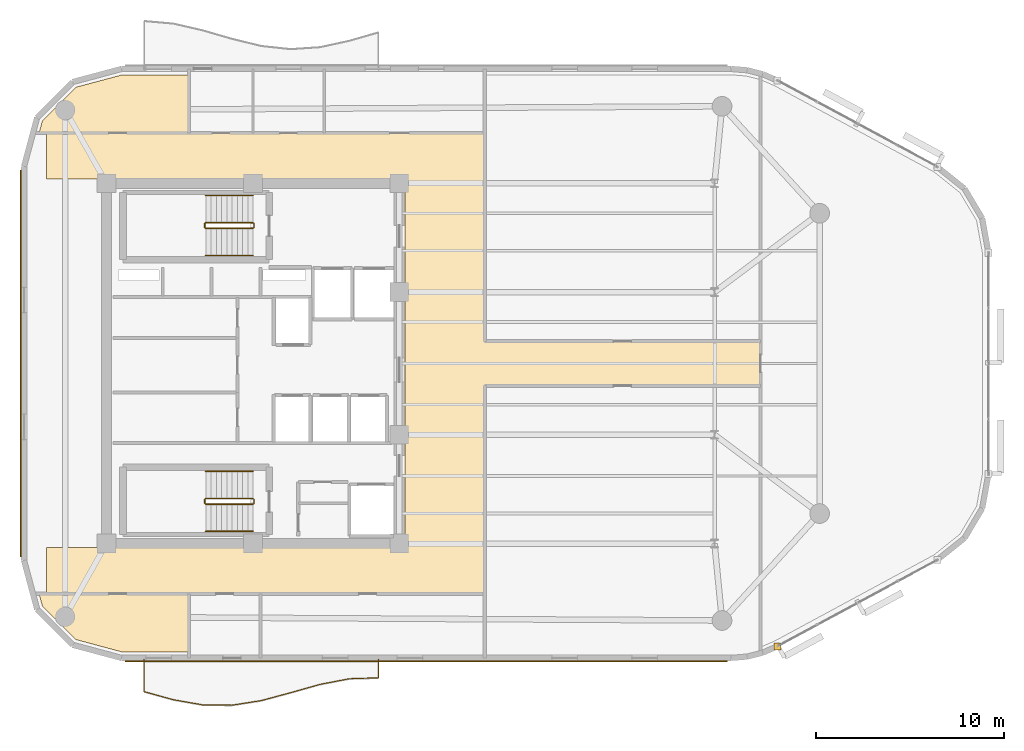
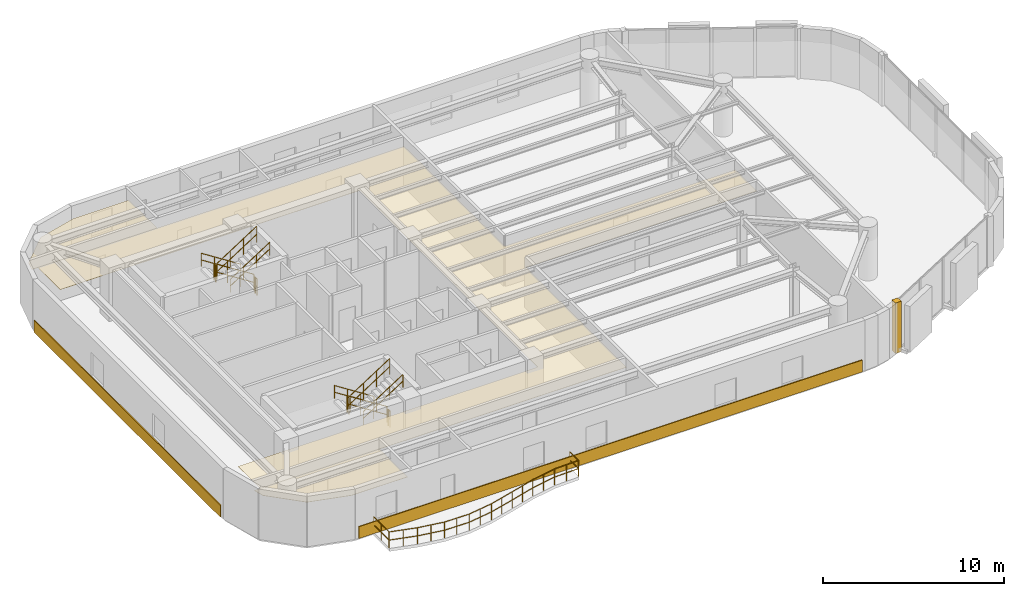
# One storey, part 12 of 13: 13 railings, 6 coverings.
"""IFC4 building model written with IfcOpenShell, lengths in metres."""

from ifc_helpers import new_model, si_unit, direction, frame, origin, origin_2d, place, context, subcontext, project, spatial, polyline, rectangle, circle, outline, extrude, material, layer, layer_set, type_object, element, save


model = new_model("IFC4")

# Units and contexts
model_context = context("Model", 3, precision=1e-05, world=origin(), true_north=direction((0.0, 1.0)))
body_context = subcontext(model_context, "Body", "Model", "MODEL_VIEW")
ifc_project = project(units=[si_unit("LENGTHUNIT", "METRE"), si_unit("AREAUNIT", "SQUARE_METRE"), si_unit("VOLUMEUNIT", "CUBIC_METRE"), si_unit("PLANEANGLEUNIT", "RADIAN"), si_unit("MASSUNIT", "GRAM", prefix="KILO")], contexts=[model_context])

# Site, building, storey
site_placement = place(None, origin())
site = spatial("IfcSite", under=ifc_project, at=site_placement, CompositionType="ELEMENT")
building_placement = place(site_placement, origin())
building = spatial("IfcBuilding", under=site, at=building_placement, Name="An Khanh Terracotta Commons", CompositionType="ELEMENT")
storey_placement = place(building_placement, frame((0.0, 0.0, 237.300048828125)))
storey = spatial("IfcBuildingStorey", under=building, at=storey_placement, Name="L62", CompositionType="ELEMENT", Elevation=237.300048828125)

# Coverings
ifc_material_1 = material(Name="Perforated Mineral-Fibre Acoustic Tile")
ifc_layer_1 = layer(ifc_material_1, 0.02001953125, Name="Perforated Mineral-Fibre Acoustic Tile")
ifc_layer_set_1 = layer_set([ifc_layer_1], Name="Perforated Mineral-Fibre Acoustic Tile")
covering_type_1 = type_object("IfcCoveringType", Name="CEIL-ACOUSTIC-18", PredefinedType="CEILING", material=ifc_layer_set_1)
covering_1_placement = place(storey_placement, frame((0.0, 0.0, 2.64990234375)))
element("IfcCovering", 1, at=covering_1_placement, inside=storey, type_object=covering_type_1, Name="L62 Corridor Ceiling", PredefinedType="CEILING", context=body_context, shape_type="SweptSolid", body=[
    extrude(outline(polyline([(18.39990234375, 11.719970703125), (18.39990234375, 14.179931640625), (37.5, 14.179931640625), (37.5, 33.820068359375), (18.39990234375, 33.820068359375), (18.39990234375, 36.280029296875), (37.5, 36.280029296875), (41.75, 36.280029296875), (41.75, 33.820068359375), (41.75, 25.179931640625), (56.449951171875, 25.179931640625), (56.449951171875, 22.820068359375), (41.75, 22.820068359375), (41.75, 14.179931640625), (41.75, 11.719970703125), (37.5, 11.719970703125), (18.39990234375, 11.719970703125)])), origin(), (0.0, 0.0, 1.0), 0.02001953125),
])
covering_2_placement = place(storey_placement, frame((0.0, 0.0, 2.64990234375)))
element("IfcCovering", 2, at=covering_2_placement, inside=storey, type_object=covering_type_1, Name="L62 Student Reading Library Ceiling", PredefinedType="CEILING", context=body_context, shape_type="SweptSolid", body=[
    extrude(outline(polyline([(22.44189453125, 39.3798828125), (26.0, 39.3798828125), (26.0, 39.35009765625), (26.0, 36.280029296875), (18.39990234375, 36.280029296875), (18.008056640625, 36.280029296875), (18.18408203125, 36.93408203125), (19.966064453125, 38.716064453125), (22.44189453125, 39.3798828125)])), origin(), (0.0, 0.0, 1.0), 0.02001953125),
])
covering_3_placement = place(storey_placement, frame((0.0, 0.0, 2.64990234375)))
element("IfcCovering", 3, at=covering_3_placement, inside=storey, type_object=covering_type_1, Name="L62 Academic Seminar Room Ceiling", PredefinedType="CEILING", context=body_context, shape_type="SweptSolid", body=[
    extrude(outline(polyline([(22.44189453125, 8.6201171875), (19.966064453125, 9.283935546875), (18.18408203125, 11.06591796875), (18.008056640625, 11.719970703125), (18.39990234375, 11.719970703125), (26.0, 11.719970703125), (26.0, 8.64990234375), (26.0, 8.6201171875), (22.44189453125, 8.6201171875)])), origin(), (0.0, 0.0, 1.0), 0.02001953125),
])
ifc_material_2 = material(Name="Fired Terracotta Rainscreen Cladding", Category="masonry")
ifc_layer_2 = layer(ifc_material_2, 0.080078125, Name="Fired Terracotta Rainscreen Cladding")
ifc_layer_set_2 = layer_set([ifc_layer_2], Name="Fired Terracotta Rainscreen Cladding")
covering_type_2 = type_object("IfcCoveringType", Name="COV-JAMB-TERRA", PredefinedType="CLADDING", material=ifc_layer_set_2)
covering_4_placement = place(storey_placement, frame((57.35693359375, 8.925048828125, 0.0), z_axis=(0.0, 0.0, 1.0), x_axis=(1.0, 0.0, 0.0)))
element("IfcCovering", 4, at=covering_4_placement, inside=storey, type_object=covering_type_2, Name="L62 CW-03 Curtain-Wall Jamb Closure JA", PredefinedType="CLADDING", context=body_context, shape_type="SweptSolid", body=[
    extrude(rectangle(XDim=0.3798828125, YDim=0.3798828125, at=origin_2d()), origin(), (0.0, 0.0, 1.0), 3.39990234375),
])
ifc_layer_3 = layer(ifc_material_2, 0.06005859375, Name="Fired Terracotta Rainscreen Cladding")
ifc_layer_set_3 = layer_set([ifc_layer_3], Name="Fired Terracotta Rainscreen Cladding")
covering_type_3 = type_object("IfcCoveringType", Name="COV-SPANDREL-TERRA", PredefinedType="CLADDING", material=ifc_layer_set_3)
covering_5_placement = place(storey_placement, frame((38.64208984375, 8.1201171875, 0.02001953125), z_axis=(0.0, 0.0, 1.0), x_axis=(1.0, 0.0, 0.0)))
element("IfcCovering", 5, at=covering_5_placement, inside=storey, type_object=covering_type_3, Name="L62 Terracotta Spandrel Cladding 4", PredefinedType="CLADDING", context=body_context, shape_type="SweptSolid", body=[
    extrude(rectangle(XDim=32.0849609375, YDim=0.06005859375, at=origin_2d()), origin(), (0.0, 0.0, 1.0), 0.800048828125),
])
covering_6_placement = place(storey_placement, frame((17.02001953125, 24.0, 0.02001953125), z_axis=(0.0, 0.0, 1.0), x_axis=(0.0, -1.0, 0.0)))
element("IfcCovering", 6, at=covering_6_placement, inside=storey, type_object=covering_type_3, Name="L62 Terracotta Spandrel Cladding 24", PredefinedType="CLADDING", context=body_context, shape_type="SweptSolid", body=[
    extrude(rectangle(XDim=20.60009765625, YDim=0.06005859375, at=origin_2d()), origin(), (0.0, 0.0, 1.0), 0.800048828125),
])

# Railings
ifc_material_3 = material(Name="Brushed Stainless Steel 316", Category="steel")
railing_type_1 = type_object("IfcRailingType", Name="RAIL-BALUSTRADE-1100", PredefinedType="BALUSTRADE", material=ifc_material_3)
railing_1_placement = place(storey_placement, frame((23.60009765625, 8.239990234375, 0.0)))
element("IfcRailing", 7, at=railing_1_placement, inside=storey, type_object=railing_type_1, Name="L62 S Wave Balcony Guard Balustrade", PredefinedType="BALUSTRADE", context=body_context, shape_type="SweptSolid", body=[
    extrude(circle(Radius=0.02392578125, at=origin_2d()), frame((0.0, 0.0, 1.076171875), z_axis=(0.0, -1.0, 0.0), x_axis=(1.0, 0.0, 0.0)), (0.0, 0.0, 1.0), 1.72998046875),
    extrude(circle(Radius=0.02392578125, at=origin_2d()), frame((0.0, 0.0, 0.52587890625), z_axis=(0.0, -1.0, 0.0), x_axis=(1.0, 0.0, 0.0)), (0.0, 0.0, 1.0), 1.72998046875),
    extrude(circle(Radius=0.02392578125, at=origin_2d()), frame((0.0, -1.72998046875, 1.076171875), z_axis=(0.963840743753, -0.266478931028, 0.0), x_axis=(0.266478931028, 0.963840743753, 0.0)), (0.0, 0.0, 1.0), 1.62158203125),
    extrude(circle(Radius=0.02392578125, at=origin_2d()), frame((0.0, -1.72998046875, 0.52587890625), z_axis=(0.963840743753, -0.266478931028, 0.0), x_axis=(0.266478931028, 0.963840743753, 0.0)), (0.0, 0.0, 1.0), 1.62158203125),
    extrude(circle(Radius=0.02392578125, at=origin_2d()), frame((1.56298828125, -2.162109375, 1.076171875), z_axis=(0.984968974178, -0.172731351833, 0.0), x_axis=(0.172731351833, 0.984968974178, 0.0)), (0.0, 0.0, 1.0), 1.5859375),
    extrude(circle(Radius=0.02392578125, at=origin_2d()), frame((1.56298828125, -2.162109375, 0.52587890625), z_axis=(0.984968974178, -0.172731351833, 0.0), x_axis=(0.172731351833, 0.984968974178, 0.0)), (0.0, 0.0, 1.0), 1.5859375),
    extrude(circle(Radius=0.02392578125, at=origin_2d()), frame((3.125, -2.43603515625, 1.076171875), z_axis=(0.99994192369, -0.010777255972, 0.0), x_axis=(0.010777255972, 0.99994192369, 0.0)), (0.0, 0.0, 1.0), 1.56298828125),
    extrude(circle(Radius=0.02392578125, at=origin_2d()), frame((3.125, -2.43603515625, 0.52587890625), z_axis=(0.99994192369, -0.010777255972, 0.0), x_axis=(0.010777255972, 0.99994192369, 0.0)), (0.0, 0.0, 1.0), 1.56298828125),
    extrude(circle(Radius=0.02392578125, at=origin_2d()), frame((4.68798828125, -2.452880859375, 1.076171875), z_axis=(0.987744181827, 0.156081489188, 0.0), x_axis=(-0.156081489188, 0.987744181827, 0.0)), (0.0, 0.0, 1.0), 1.581298828125),
    extrude(circle(Radius=0.02392578125, at=origin_2d()), frame((4.68798828125, -2.452880859375, 0.52587890625), z_axis=(0.987744181827, 0.156081489188, 0.0), x_axis=(-0.156081489188, 0.987744181827, 0.0)), (0.0, 0.0, 1.0), 1.581298828125),
    extrude(circle(Radius=0.02392578125, at=origin_2d()), frame((6.25, -2.2060546875, 1.076171875), z_axis=(0.965563315194, 0.260168184741, 0.0), x_axis=(-0.260168184741, 0.965563315194, 0.0)), (0.0, 0.0, 1.0), 1.61865234375),
    extrude(circle(Radius=0.02392578125, at=origin_2d()), frame((6.25, -2.2060546875, 0.52587890625), z_axis=(0.965563315194, 0.260168184741, 0.0), x_axis=(-0.260168184741, 0.965563315194, 0.0)), (0.0, 0.0, 1.0), 1.61865234375),
    extrude(circle(Radius=0.02392578125, at=origin_2d()), frame((7.81298828125, -1.784912109375, 1.076171875), z_axis=(0.962393224433, 0.271660231842, 0.0), x_axis=(-0.271660231842, 0.962393224433, 0.0)), (0.0, 0.0, 1.0), 1.623046875),
    extrude(circle(Radius=0.02392578125, at=origin_2d()), frame((7.81298828125, -1.784912109375, 0.52587890625), z_axis=(0.962393224433, 0.271660231842, 0.0), x_axis=(-0.271660231842, 0.962393224433, 0.0)), (0.0, 0.0, 1.0), 1.623046875),
    extrude(circle(Radius=0.02392578125, at=origin_2d()), frame((9.375, -1.343994140625, 1.076171875), z_axis=(0.982067667814, 0.188528766595, 0.0), x_axis=(-0.188528766595, 0.982067667814, 0.0)), (0.0, 0.0, 1.0), 1.591552734375),
    extrude(circle(Radius=0.02392578125, at=origin_2d()), frame((9.375, -1.343994140625, 0.52587890625), z_axis=(0.982067667814, 0.188528766595, 0.0), x_axis=(-0.188528766595, 0.982067667814, 0.0)), (0.0, 0.0, 1.0), 1.591552734375),
    extrude(circle(Radius=0.02392578125, at=origin_2d()), frame((10.93798828125, -1.0439453125, 1.076171875), z_axis=(0.999487073646, 0.032024828087, 0.0), x_axis=(-0.032024828087, 0.999487073646, 0.0)), (0.0, 0.0, 1.0), 1.562744140625),
    extrude(circle(Radius=0.02392578125, at=origin_2d()), frame((10.93798828125, -1.0439453125, 0.52587890625), z_axis=(0.999487073646, 0.032024828087, 0.0), x_axis=(-0.032024828087, 0.999487073646, 0.0)), (0.0, 0.0, 1.0), 1.562744140625),
    extrude(circle(Radius=0.02392578125, at=origin_2d()), frame((12.5, -0.993896484375, 1.076171875), z_axis=(0.0, 1.0, 0.0), x_axis=(-1.0, 0.0, 0.0)), (0.0, 0.0, 1.0), 0.993896484375),
    extrude(circle(Radius=0.02392578125, at=origin_2d()), frame((12.5, -0.993896484375, 0.52587890625), z_axis=(0.0, 1.0, 0.0), x_axis=(-1.0, 0.0, 0.0)), (0.0, 0.0, 1.0), 0.993896484375),
    extrude(circle(Radius=0.02099609375, at=origin_2d()), origin(), (0.0, 0.0, 1.0), 1.052001953125),
    extrude(circle(Radius=0.02099609375, at=origin_2d()), frame((0.0, -0.864990234375, 0.0)), (0.0, 0.0, 1.0), 1.052001953125),
    extrude(circle(Radius=0.02099609375, at=origin_2d()), frame((0.0, -1.72998046875, 0.0)), (0.0, 0.0, 1.0), 1.052001953125),
    extrude(circle(Radius=0.02099609375, at=origin_2d()), frame((0.781494140625, -1.946044921875, 0.0)), (0.0, 0.0, 1.0), 1.052001953125),
    extrude(circle(Radius=0.02099609375, at=origin_2d()), frame((1.56298828125, -2.162109375, 0.0)), (0.0, 0.0, 1.0), 1.052001953125),
    extrude(circle(Radius=0.02099609375, at=origin_2d()), frame((2.343994140625, -2.299072265625, 0.0)), (0.0, 0.0, 1.0), 1.052001953125),
    extrude(circle(Radius=0.02099609375, at=origin_2d()), frame((3.125, -2.43603515625, 0.0)), (0.0, 0.0, 1.0), 1.052001953125),
    extrude(circle(Radius=0.02099609375, at=origin_2d()), frame((3.906494140625, -2.4443359375, 0.0)), (0.0, 0.0, 1.0), 1.052001953125),
    extrude(circle(Radius=0.02099609375, at=origin_2d()), frame((4.68798828125, -2.452880859375, 0.0)), (0.0, 0.0, 1.0), 1.052001953125),
    extrude(circle(Radius=0.02099609375, at=origin_2d()), frame((5.468994140625, -2.32958984375, 0.0)), (0.0, 0.0, 1.0), 1.052001953125),
    extrude(circle(Radius=0.02099609375, at=origin_2d()), frame((6.25, -2.2060546875, 0.0)), (0.0, 0.0, 1.0), 1.052001953125),
    extrude(circle(Radius=0.02099609375, at=origin_2d()), frame((7.031494140625, -1.99560546875, 0.0)), (0.0, 0.0, 1.0), 1.052001953125),
    extrude(circle(Radius=0.02099609375, at=origin_2d()), frame((7.81298828125, -1.784912109375, 0.0)), (0.0, 0.0, 1.0), 1.052001953125),
    extrude(circle(Radius=0.02099609375, at=origin_2d()), frame((8.593994140625, -1.564453125, 0.0)), (0.0, 0.0, 1.0), 1.052001953125),
    extrude(circle(Radius=0.02099609375, at=origin_2d()), frame((9.375, -1.343994140625, 0.0)), (0.0, 0.0, 1.0), 1.052001953125),
    extrude(circle(Radius=0.02099609375, at=origin_2d()), frame((10.156494140625, -1.19384765625, 0.0)), (0.0, 0.0, 1.0), 1.052001953125),
    extrude(circle(Radius=0.02099609375, at=origin_2d()), frame((10.93798828125, -1.0439453125, 0.0)), (0.0, 0.0, 1.0), 1.052001953125),
    extrude(circle(Radius=0.02099609375, at=origin_2d()), frame((11.718994140625, -1.01904296875, 0.0)), (0.0, 0.0, 1.0), 1.052001953125),
    extrude(circle(Radius=0.02099609375, at=origin_2d()), frame((12.5, -0.993896484375, 0.0)), (0.0, 0.0, 1.0), 1.052001953125),
    extrude(circle(Radius=0.02099609375, at=origin_2d()), frame((12.5, 0.0, 0.0)), (0.0, 0.0, 1.0), 1.052001953125),
])
railing_type_2 = type_object("IfcRailingType", Name="RAIL-HANDRAIL-900", PredefinedType="HANDRAIL", material=ifc_material_3)
railing_2_placement = place(storey_placement, frame((29.409912109375, 32.949951171875, 0.179931640625)))
element("IfcRailing", 8, at=railing_2_placement, inside=storey, type_object=railing_type_2, Name="L62 ST-01 stair handrail 1", PredefinedType="HANDRAIL", context=body_context, shape_type="SweptSolid", body=[
    extrude(circle(Radius=0.02392578125, at=origin_2d()), frame((0.0, 0.0, 0.8759765625), z_axis=(-0.841162588446, 0.0, 0.540782303519), x_axis=(0.0, -1.0, 0.0)), (0.0, 0.0, 1.0), 2.995849609375),
    extrude(circle(Radius=0.02392578125, at=origin_2d()), frame((0.0, 0.0, 0.42578125), z_axis=(-0.841162588446, 0.0, 0.540782303519), x_axis=(0.0, -1.0, 0.0)), (0.0, 0.0, 1.0), 2.995849609375),
    extrude(circle(Radius=0.02099609375, at=origin_2d()), origin(), (0.0, 0.0, 1.0), 0.851806640625),
    extrude(circle(Radius=0.02099609375, at=origin_2d()), frame((-0.840087890625, 0.0, 0.5400390625)), (0.0, 0.0, 1.0), 0.851806640625),
    extrude(circle(Radius=0.02099609375, at=origin_2d()), frame((-1.679931640625, 0.0, 1.080078125)), (0.0, 0.0, 1.0), 0.851806640625),
    extrude(circle(Radius=0.02099609375, at=origin_2d()), frame((-2.52001953125, 0.0, 1.6201171875)), (0.0, 0.0, 1.0), 0.851806640625),
])
railing_3_placement = place(storey_placement, frame((26.889892578125, 29.75, 1.97998046875)))
element("IfcRailing", 9, at=railing_3_placement, inside=storey, type_object=railing_type_2, Name="L62 ST-01 stair handrail 2", PredefinedType="HANDRAIL", context=body_context, shape_type="SweptSolid", body=[
    extrude(circle(Radius=0.02392578125, at=origin_2d()), frame((0.0, 0.0, 0.8759765625), z_axis=(0.841199657755, 0.0, 0.540724639528), x_axis=(0.0, 1.0, 0.0)), (0.0, 0.0, 1.0), 2.995849609375),
    extrude(circle(Radius=0.02392578125, at=origin_2d()), frame((0.0, 0.0, 0.42578125), z_axis=(0.841199657755, 0.0, 0.540724639528), x_axis=(0.0, 1.0, 0.0)), (0.0, 0.0, 1.0), 2.995849609375),
    extrude(circle(Radius=0.02099609375, at=origin_2d()), origin(), (0.0, 0.0, 1.0), 0.851806640625),
    extrude(circle(Radius=0.02099609375, at=origin_2d()), frame((0.840087890625, 0.0, 0.5400390625)), (0.0, 0.0, 1.0), 0.851806640625),
    extrude(circle(Radius=0.02099609375, at=origin_2d()), frame((1.679931640625, 0.0, 1.079833984375)), (0.0, 0.0, 1.0), 0.851806640625),
    extrude(circle(Radius=0.02099609375, at=origin_2d()), frame((2.52001953125, 0.0, 1.619873046875)), (0.0, 0.0, 1.0), 0.851806640625),
])
railing_4_placement = place(storey_placement, frame((29.409912109375, 18.25, 0.179931640625)))
element("IfcRailing", 10, at=railing_4_placement, inside=storey, type_object=railing_type_2, Name="L62 ST-02 stair handrail 1", PredefinedType="HANDRAIL", context=body_context, shape_type="SweptSolid", body=[
    extrude(circle(Radius=0.02392578125, at=origin_2d()), frame((0.0, 0.0, 0.8759765625), z_axis=(-0.841162588446, 0.0, 0.540782303519), x_axis=(0.0, -1.0, 0.0)), (0.0, 0.0, 1.0), 2.995849609375),
    extrude(circle(Radius=0.02392578125, at=origin_2d()), frame((0.0, 0.0, 0.42578125), z_axis=(-0.841162588446, 0.0, 0.540782303519), x_axis=(0.0, -1.0, 0.0)), (0.0, 0.0, 1.0), 2.995849609375),
    extrude(circle(Radius=0.02099609375, at=origin_2d()), origin(), (0.0, 0.0, 1.0), 0.851806640625),
    extrude(circle(Radius=0.02099609375, at=origin_2d()), frame((-0.840087890625, 0.0, 0.5400390625)), (0.0, 0.0, 1.0), 0.851806640625),
    extrude(circle(Radius=0.02099609375, at=origin_2d()), frame((-1.679931640625, 0.0, 1.080078125)), (0.0, 0.0, 1.0), 0.851806640625),
    extrude(circle(Radius=0.02099609375, at=origin_2d()), frame((-2.52001953125, 0.0, 1.6201171875)), (0.0, 0.0, 1.0), 0.851806640625),
])
railing_5_placement = place(storey_placement, frame((26.889892578125, 15.050048828125, 1.97998046875)))
element("IfcRailing", 11, at=railing_5_placement, inside=storey, type_object=railing_type_2, Name="L62 ST-02 stair handrail 2", PredefinedType="HANDRAIL", context=body_context, shape_type="SweptSolid", body=[
    extrude(circle(Radius=0.02392578125, at=origin_2d()), frame((0.0, 0.0, 0.8759765625), z_axis=(0.841199657755, 0.0, 0.540724639528), x_axis=(0.0, 1.0, 0.0)), (0.0, 0.0, 1.0), 2.995849609375),
    extrude(circle(Radius=0.02392578125, at=origin_2d()), frame((0.0, 0.0, 0.42578125), z_axis=(0.841199657755, 0.0, 0.540724639528), x_axis=(0.0, 1.0, 0.0)), (0.0, 0.0, 1.0), 2.995849609375),
    extrude(circle(Radius=0.02099609375, at=origin_2d()), origin(), (0.0, 0.0, 1.0), 0.851806640625),
    extrude(circle(Radius=0.02099609375, at=origin_2d()), frame((0.840087890625, 0.0, 0.5400390625)), (0.0, 0.0, 1.0), 0.851806640625),
    extrude(circle(Radius=0.02099609375, at=origin_2d()), frame((1.679931640625, 0.0, 1.079833984375)), (0.0, 0.0, 1.0), 0.851806640625),
    extrude(circle(Radius=0.02099609375, at=origin_2d()), frame((2.52001953125, 0.0, 1.619873046875)), (0.0, 0.0, 1.0), 0.851806640625),
])
ifc_material_4 = material(Name="Powder-Coated Steel S355J2", Category="steel")
railing_type_3 = type_object("IfcRailingType", Name="RAIL-STAIR-GUARD-1100", PredefinedType="BALUSTRADE", material=ifc_material_4)
railing_6_placement = place(storey_placement, frame((29.409912109375, 31.5, 0.179931640625)))
element("IfcRailing", 12, at=railing_6_placement, inside=storey, type_object=railing_type_3, Name="L62 ST-01 stair guard 1", PredefinedType="BALUSTRADE", context=body_context, shape_type="SweptSolid", body=[
    extrude(circle(Radius=0.02392578125, at=origin_2d()), frame((0.0, 0.0, 1.076171875), z_axis=(-0.841162588446, 0.0, 0.540782303519), x_axis=(0.0, -1.0, 0.0)), (0.0, 0.0, 1.0), 2.995849609375),
    extrude(circle(Radius=0.02392578125, at=origin_2d()), frame((0.0, 0.0, 0.52587890625), z_axis=(-0.841162588446, 0.0, 0.540782303519), x_axis=(0.0, -1.0, 0.0)), (0.0, 0.0, 1.0), 2.995849609375),
    extrude(circle(Radius=0.02099609375, at=origin_2d()), origin(), (0.0, 0.0, 1.0), 1.052001953125),
    extrude(circle(Radius=0.02099609375, at=origin_2d()), frame((-0.840087890625, 0.0, 0.5400390625)), (0.0, 0.0, 1.0), 1.052001953125),
    extrude(circle(Radius=0.02099609375, at=origin_2d()), frame((-1.679931640625, 0.0, 1.080078125)), (0.0, 0.0, 1.0), 1.052001953125),
    extrude(circle(Radius=0.02099609375, at=origin_2d()), frame((-2.52001953125, 0.0, 1.6201171875)), (0.0, 0.0, 1.0), 1.052001953125),
])
railing_7_placement = place(storey_placement, frame((26.840087890625, 31.449951171875, 1.800048828125)))
element("IfcRailing", 13, at=railing_7_placement, inside=storey, type_object=railing_type_3, Name="L62 ST-01 stair guard 2", PredefinedType="BALUSTRADE", context=body_context, shape_type="SweptSolid", body=[
    extrude(circle(Radius=0.02392578125, at=origin_2d()), frame((0.0, 0.0, 1.076171875), z_axis=(0.0, -1.0, 0.0), x_axis=(1.0, 0.0, 0.0)), (0.0, 0.0, 1.0), 0.199951171875),
    extrude(circle(Radius=0.02392578125, at=origin_2d()), frame((0.0, 0.0, 0.52587890625), z_axis=(0.0, -1.0, 0.0), x_axis=(1.0, 0.0, 0.0)), (0.0, 0.0, 1.0), 0.199951171875),
    extrude(circle(Radius=0.02099609375, at=origin_2d()), origin(), (0.0, 0.0, 1.0), 1.052001953125),
    extrude(circle(Radius=0.02099609375, at=origin_2d()), frame((0.0, -0.199951171875, 0.0)), (0.0, 0.0, 1.0), 1.052001953125),
])
railing_8_placement = place(storey_placement, frame((26.889892578125, 31.199951171875, 1.97998046875)))
element("IfcRailing", 14, at=railing_8_placement, inside=storey, type_object=railing_type_3, Name="L62 ST-01 stair guard 3", PredefinedType="BALUSTRADE", context=body_context, shape_type="SweptSolid", body=[
    extrude(circle(Radius=0.02392578125, at=origin_2d()), frame((0.0, 0.0, 1.076171875), z_axis=(0.841199657755, 0.0, 0.540724639528), x_axis=(0.0, 1.0, 0.0)), (0.0, 0.0, 1.0), 2.995849609375),
    extrude(circle(Radius=0.02392578125, at=origin_2d()), frame((0.0, 0.0, 0.52587890625), z_axis=(0.841199657755, 0.0, 0.540724639528), x_axis=(0.0, 1.0, 0.0)), (0.0, 0.0, 1.0), 2.995849609375),
    extrude(circle(Radius=0.02099609375, at=origin_2d()), origin(), (0.0, 0.0, 1.0), 1.052001953125),
    extrude(circle(Radius=0.02099609375, at=origin_2d()), frame((0.840087890625, 0.0, 0.5400390625)), (0.0, 0.0, 1.0), 1.052001953125),
    extrude(circle(Radius=0.02099609375, at=origin_2d()), frame((1.679931640625, 0.0, 1.079833984375)), (0.0, 0.0, 1.0), 1.052001953125),
    extrude(circle(Radius=0.02099609375, at=origin_2d()), frame((2.52001953125, 0.0, 1.619873046875)), (0.0, 0.0, 1.0), 1.052001953125),
])
railing_9_placement = place(storey_placement, frame((29.4599609375, 31.449951171875, 0.0)))
element("IfcRailing", 15, at=railing_9_placement, inside=storey, type_object=railing_type_3, Name="L62 ST-01 stair guard 4", PredefinedType="BALUSTRADE", context=body_context, shape_type="SweptSolid", body=[
    extrude(circle(Radius=0.02392578125, at=origin_2d()), frame((0.0, 0.0, 1.076171875), z_axis=(0.0, -1.0, 0.0), x_axis=(1.0, 0.0, 0.0)), (0.0, 0.0, 1.0), 0.199951171875),
    extrude(circle(Radius=0.02392578125, at=origin_2d()), frame((0.0, 0.0, 0.52587890625), z_axis=(0.0, -1.0, 0.0), x_axis=(1.0, 0.0, 0.0)), (0.0, 0.0, 1.0), 0.199951171875),
    extrude(circle(Radius=0.02099609375, at=origin_2d()), origin(), (0.0, 0.0, 1.0), 1.052001953125),
    extrude(circle(Radius=0.02099609375, at=origin_2d()), frame((0.0, -0.199951171875, 0.0)), (0.0, 0.0, 1.0), 1.052001953125),
])
railing_10_placement = place(storey_placement, frame((29.409912109375, 16.800048828125, 0.179931640625)))
element("IfcRailing", 16, at=railing_10_placement, inside=storey, type_object=railing_type_3, Name="L62 ST-02 stair guard 1", PredefinedType="BALUSTRADE", context=body_context, shape_type="SweptSolid", body=[
    extrude(circle(Radius=0.02392578125, at=origin_2d()), frame((0.0, 0.0, 1.076171875), z_axis=(-0.841162588446, 0.0, 0.540782303519), x_axis=(0.0, -1.0, 0.0)), (0.0, 0.0, 1.0), 2.995849609375),
    extrude(circle(Radius=0.02392578125, at=origin_2d()), frame((0.0, 0.0, 0.52587890625), z_axis=(-0.841162588446, 0.0, 0.540782303519), x_axis=(0.0, -1.0, 0.0)), (0.0, 0.0, 1.0), 2.995849609375),
    extrude(circle(Radius=0.02099609375, at=origin_2d()), origin(), (0.0, 0.0, 1.0), 1.052001953125),
    extrude(circle(Radius=0.02099609375, at=origin_2d()), frame((-0.840087890625, 0.0, 0.5400390625)), (0.0, 0.0, 1.0), 1.052001953125),
    extrude(circle(Radius=0.02099609375, at=origin_2d()), frame((-1.679931640625, 0.0, 1.080078125)), (0.0, 0.0, 1.0), 1.052001953125),
    extrude(circle(Radius=0.02099609375, at=origin_2d()), frame((-2.52001953125, 0.0, 1.6201171875)), (0.0, 0.0, 1.0), 1.052001953125),
])
railing_11_placement = place(storey_placement, frame((26.840087890625, 16.75, 1.800048828125)))
element("IfcRailing", 17, at=railing_11_placement, inside=storey, type_object=railing_type_3, Name="L62 ST-02 stair guard 2", PredefinedType="BALUSTRADE", context=body_context, shape_type="SweptSolid", body=[
    extrude(circle(Radius=0.02392578125, at=origin_2d()), frame((0.0, 0.0, 1.076171875), z_axis=(0.0, -1.0, 0.0), x_axis=(1.0, 0.0, 0.0)), (0.0, 0.0, 1.0), 0.199951171875),
    extrude(circle(Radius=0.02392578125, at=origin_2d()), frame((0.0, 0.0, 0.52587890625), z_axis=(0.0, -1.0, 0.0), x_axis=(1.0, 0.0, 0.0)), (0.0, 0.0, 1.0), 0.199951171875),
    extrude(circle(Radius=0.02099609375, at=origin_2d()), origin(), (0.0, 0.0, 1.0), 1.052001953125),
    extrude(circle(Radius=0.02099609375, at=origin_2d()), frame((0.0, -0.199951171875, 0.0)), (0.0, 0.0, 1.0), 1.052001953125),
])
railing_12_placement = place(storey_placement, frame((26.889892578125, 16.5, 1.97998046875)))
element("IfcRailing", 18, at=railing_12_placement, inside=storey, type_object=railing_type_3, Name="L62 ST-02 stair guard 3", PredefinedType="BALUSTRADE", context=body_context, shape_type="SweptSolid", body=[
    extrude(circle(Radius=0.02392578125, at=origin_2d()), frame((0.0, 0.0, 1.076171875), z_axis=(0.841199657755, 0.0, 0.540724639528), x_axis=(0.0, 1.0, 0.0)), (0.0, 0.0, 1.0), 2.995849609375),
    extrude(circle(Radius=0.02392578125, at=origin_2d()), frame((0.0, 0.0, 0.52587890625), z_axis=(0.841199657755, 0.0, 0.540724639528), x_axis=(0.0, 1.0, 0.0)), (0.0, 0.0, 1.0), 2.995849609375),
    extrude(circle(Radius=0.02099609375, at=origin_2d()), origin(), (0.0, 0.0, 1.0), 1.052001953125),
    extrude(circle(Radius=0.02099609375, at=origin_2d()), frame((0.840087890625, 0.0, 0.5400390625)), (0.0, 0.0, 1.0), 1.052001953125),
    extrude(circle(Radius=0.02099609375, at=origin_2d()), frame((1.679931640625, 0.0, 1.079833984375)), (0.0, 0.0, 1.0), 1.052001953125),
    extrude(circle(Radius=0.02099609375, at=origin_2d()), frame((2.52001953125, 0.0, 1.619873046875)), (0.0, 0.0, 1.0), 1.052001953125),
])
railing_13_placement = place(storey_placement, frame((29.4599609375, 16.75, 0.0)))
element("IfcRailing", 19, at=railing_13_placement, inside=storey, type_object=railing_type_3, Name="L62 ST-02 stair guard 4", PredefinedType="BALUSTRADE", context=body_context, shape_type="SweptSolid", body=[
    extrude(circle(Radius=0.02392578125, at=origin_2d()), frame((0.0, 0.0, 1.076171875), z_axis=(0.0, -1.0, 0.0), x_axis=(1.0, 0.0, 0.0)), (0.0, 0.0, 1.0), 0.199951171875),
    extrude(circle(Radius=0.02392578125, at=origin_2d()), frame((0.0, 0.0, 0.52587890625), z_axis=(0.0, -1.0, 0.0), x_axis=(1.0, 0.0, 0.0)), (0.0, 0.0, 1.0), 0.199951171875),
    extrude(circle(Radius=0.02099609375, at=origin_2d()), origin(), (0.0, 0.0, 1.0), 1.052001953125),
    extrude(circle(Radius=0.02099609375, at=origin_2d()), frame((0.0, -0.199951171875, 0.0)), (0.0, 0.0, 1.0), 1.052001953125),
])

save(model, "model.ifc")
